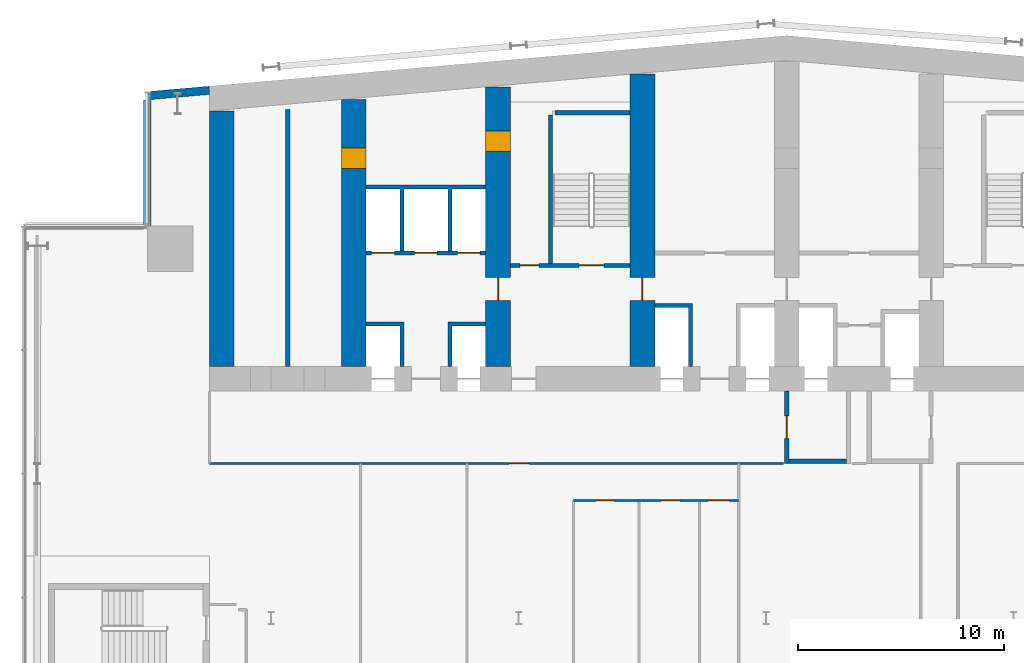
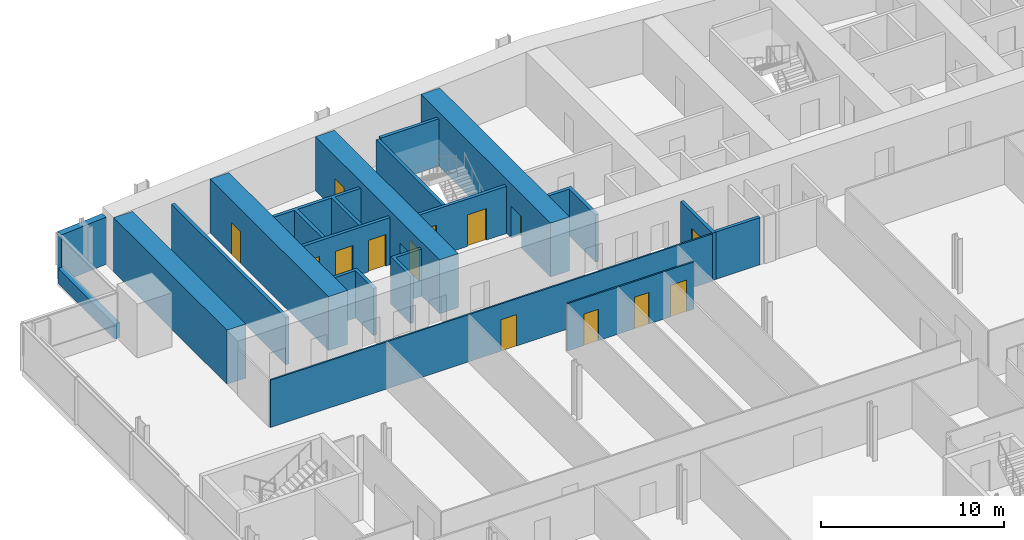
# One storey, part 15 of 24: 19 walls, 14 doors, 14 openings.
"""IFC4 building model written with IfcOpenShell, lengths in metres."""

from ifc_helpers import new_model, si_unit, direction, frame, frame_2d, origin, place, context, subcontext, project, spatial, polyline, rectangle, outline, extrude, material, layer, layer_set, type_object, element, fill, save


model = new_model("IFC4")

# Units and contexts
model_context = context("Model", 3, precision=1e-05, world=origin(), true_north=direction((0.0, 1.0)))
body_context = subcontext(model_context, "Body", "Model", "MODEL_VIEW")
ifc_project = project(units=[si_unit("LENGTHUNIT", "METRE"), si_unit("AREAUNIT", "SQUARE_METRE"), si_unit("VOLUMEUNIT", "CUBIC_METRE"), si_unit("PLANEANGLEUNIT", "RADIAN"), si_unit("MASSUNIT", "GRAM", prefix="KILO")], contexts=[model_context])

# Site, building, storey
site_placement = place(None, origin())
site = spatial("IfcSite", under=ifc_project, at=site_placement, CompositionType="ELEMENT")
building_placement = place(site_placement, origin())
building = spatial("IfcBuilding", under=site, at=building_placement, Name="Wharfspan Tower", CompositionType="ELEMENT")
storey_placement = place(building_placement, frame((0.0, 0.0, 88.300049)))
storey = spatial("IfcBuildingStorey", under=building, at=storey_placement, Name="L19", CompositionType="ELEMENT", Elevation=88.300049)

# Wall, opening, door
ifc_material_1 = material(Name="Gypsum board on steel studs", Category="steel")
ifc_layer_1 = layer(ifc_material_1, 0.100098)
ifc_layer_set_1 = layer_set([ifc_layer_1], Name="Gypsum board on steel studs")
wall_type_1 = type_object("IfcWallType", Name="Compartment wall 100 EI 60", PredefinedType="PARTITIONING", material=ifc_layer_set_1)
wall_1_placement = place(storey_placement, frame((9.0, 30.5, 0.0), z_axis=(0.0, 0.0, 1.0), x_axis=(1.0, 0.0, 0.0)))
wall_1 = element("IfcWall", 1, at=wall_1_placement, inside=storey, type_object=wall_type_1, Name="Partition L19.w009", PredefinedType="PARTITIONING", context=body_context, shape_type="SweptSolid", body=[
    extrude(rectangle(XDim=27.850098, YDim=0.100098, at=frame_2d((13.925049, 0.0))), origin(), (0.0, 0.0, 1.0), 3.149902),
])
opening_1_placement = place(wall_1_placement, frame((14.52002, 0.0, 0.0)))
opening_1 = element("IfcOpeningElement", 2, at=opening_1_placement, cuts=wall_1, Name="Opening A5-25", PredefinedType="OPENING", context=body_context, shape_type="SweptSolid", body=[
    extrude(rectangle(XDim=1.0, YDim=2.100098, at=frame_2d((0.5, 1.050049))), frame((0.0, 0.060059, 0.0), z_axis=(0.0, -1.0, 0.0), x_axis=(1.0, 0.0, 0.0)), (0.0, 0.0, 1.0), 0.120117),
])
ifc_material_2 = material(Name="Fire-rated timber door leaf in steel frame", Category="steel")
door_type_1 = type_object("IfcDoorType", Name="Door 1000 FD30S Left", OperationType="SINGLE_SWING_LEFT", PredefinedType="DOOR", material=ifc_material_2)
door_1_placement = place(opening_1_placement, origin())
door_1 = element("IfcDoor", 3, at=door_1_placement, inside=storey, type_object=door_type_1, Name="Door A5-25", OperationType="SINGLE_SWING_LEFT", OverallHeight=2.100098, OverallWidth=1.0, PredefinedType="DOOR", context=body_context, shape_type="SweptSolid", body=[
    extrude(rectangle(XDim=1.0, YDim=2.100098, at=frame_2d((0.5, 1.050049))), frame((0.0, 0.024902, 0.0), z_axis=(0.0, -1.0, 0.0), x_axis=(1.0, 0.0, 0.0)), (0.0, 0.0, 1.0), 0.050049),
])
fill(opening_1, door_1)

# Walls
ifc_material_3 = material(Name="Calcium silicate masonry", Category="masonry")
ifc_layer_2 = layer(ifc_material_3, 0.199951)
ifc_layer_set_2 = layer_set([ifc_layer_2], Name="Calcium silicate masonry")
wall_type_2 = type_object("IfcWallType", Name="Core room wall 200", PredefinedType="PARTITIONING", material=ifc_layer_set_2)
wall_2_placement = place(storey_placement, frame((12.800049, 35.199951, 0.0), z_axis=(0.0, 0.0, 1.0), x_axis=(0.0, 1.0, 0.0)))
element("IfcWall", 4, at=wall_2_placement, inside=storey, type_object=wall_type_2, Name="sw:L19:RM0", PredefinedType="PARTITIONING", context=body_context, shape_type="SweptSolid", body=[
    extrude(rectangle(XDim=12.467773, YDim=0.199951, at=frame_2d((6.233887, 0.0))), origin(), (0.0, 0.0, 1.0), 3.149902),
])
ifc_material_4 = material(Name="Concrete C70/85", Category="concrete")
ifc_layer_3 = layer(ifc_material_4, 1.199951)
ifc_layer_set_3 = layer_set([ifc_layer_3], Name="Concrete C70/85")
wall_type_3 = type_object("IfcWallType", Name="Core wall 1200 C70/85", PredefinedType="SHEAR", material=ifc_layer_set_3)
wall_3_placement = place(storey_placement, frame((9.600098, 35.199951, 0.0), z_axis=(0.0, 0.0, 1.0), x_axis=(0.0, 1.0, 0.0)))
element("IfcWall", 5, at=wall_3_placement, inside=storey, type_object=wall_type_3, Name="Core cross wall EW0 L19", PredefinedType="SHEAR", context=body_context, shape_type="SweptSolid", body=[
    extrude(rectangle(XDim=12.382812, YDim=1.199951, at=frame_2d((6.191406, 0.0))), origin(), (0.0, 0.0, 1.0), 3.599854),
])

# Wall, opening, door
wall_4_placement = place(storey_placement, frame((16.0, 35.199951, 0.0), z_axis=(0.0, 0.0, 1.0), x_axis=(0.0, 1.0, 0.0)))
wall_4 = element("IfcWall", 6, at=wall_4_placement, inside=storey, type_object=wall_type_3, Name="Core cross wall X1 L19", PredefinedType="SHEAR", context=body_context, shape_type="SweptSolid", body=[
    extrude(rectangle(XDim=12.942871, YDim=1.199951, at=frame_2d((6.471436, 0.0))), origin(), (0.0, 0.0, 1.0), 3.599854),
])
opening_2_placement = place(wall_4_placement, frame((9.600098, 0.0, 0.0)))
opening_2 = element("IfcOpeningElement", 7, at=opening_2_placement, cuts=wall_4, Name="Opening CR19.1", PredefinedType="OPENING", context=body_context, shape_type="SweptSolid", body=[
    extrude(rectangle(XDim=1.0, YDim=2.100098, at=frame_2d((0.5, 1.050049))), frame((0.0, 0.609863, 0.0), z_axis=(0.0, -1.0, 0.0), x_axis=(1.0, 0.0, 0.0)), (0.0, 0.0, 1.0), 1.219971),
])
ifc_material_5 = material(Name="Steel door leaf", Category="steel")
door_type_2 = type_object("IfcDoorType", Name="Core room door 1000x2100", OperationType="SINGLE_SWING_LEFT", PredefinedType="DOOR", material=ifc_material_5)
door_2_placement = place(opening_2_placement, origin())
door_2 = element("IfcDoor", 8, at=door_2_placement, inside=storey, type_object=door_type_2, Name="xr:L19:1", OperationType="SINGLE_SWING_RIGHT", OverallHeight=2.100098, OverallWidth=1.0, PredefinedType="DOOR", context=body_context, shape_type="SweptSolid", body=[
    extrude(rectangle(XDim=1.0, YDim=2.100098, at=frame_2d((0.5, 1.050049))), frame((0.0, 0.599609, 0.0), z_axis=(0.0, -1.0, 0.0), x_axis=(1.0, 0.0, 0.0)), (0.0, 0.0, 1.0), 1.199463),
])
fill(opening_2, door_2)

# Wall, openings, doors
wall_5_placement = place(storey_placement, frame((23.0, 35.199951, 0.0), z_axis=(0.0, 0.0, 1.0), x_axis=(0.0, 1.0, 0.0)))
wall_5 = element("IfcWall", 9, at=wall_5_placement, inside=storey, type_object=wall_type_3, Name="Core cross wall X2 L19", PredefinedType="SHEAR", context=body_context, shape_type="SweptSolid", body=[
    extrude(rectangle(XDim=13.555176, YDim=1.199951, at=frame_2d((6.777588, 0.0))), origin(), (0.0, 0.0, 1.0), 3.599854),
])
opening_3_placement = place(wall_5_placement, frame((10.413818, 0.0, 0.0)))
opening_3 = element("IfcOpeningElement", 10, at=opening_3_placement, cuts=wall_5, Name="Opening CD19.1X", PredefinedType="OPENING", context=body_context, shape_type="SweptSolid", body=[
    extrude(rectangle(XDim=1.0, YDim=2.100098, at=frame_2d((0.5, 1.050049))), frame((0.0, 0.609863, 0.0), z_axis=(0.0, -1.0, 0.0), x_axis=(1.0, 0.0, 0.0)), (0.0, 0.0, 1.0), 1.219971),
])
opening_4_placement = place(wall_5_placement, frame((3.199951, 0.0, 0.0)))
opening_4 = element("IfcOpeningElement", 11, at=opening_4_placement, cuts=wall_5, Name="Opening CC19.2", PredefinedType="OPENING", context=body_context, shape_type="SweptSolid", body=[
    extrude(rectangle(XDim=1.100098, YDim=2.100098, at=frame_2d((0.550049, 1.050049))), frame((0.0, 0.609863, 0.0), z_axis=(0.0, -1.0, 0.0), x_axis=(1.0, 0.0, 0.0)), (0.0, 0.0, 1.0), 1.219971),
])
door_type_3 = type_object("IfcDoorType", Name="Core corridor door 1100x2100", OperationType="SINGLE_SWING_LEFT", PredefinedType="DOOR", material=ifc_material_5)
door_3_placement = place(opening_4_placement, origin())
door_3 = element("IfcDoor", 12, at=door_3_placement, inside=storey, type_object=door_type_3, Name="xd:L19:2", OperationType="SINGLE_SWING_RIGHT", OverallHeight=2.100098, OverallWidth=1.100098, PredefinedType="DOOR", context=body_context, shape_type="SweptSolid", body=[
    extrude(rectangle(XDim=1.100098, YDim=2.100098, at=frame_2d((0.550049, 1.050049))), frame((0.0, 0.024902, 0.0), z_axis=(0.0, -1.0, 0.0), x_axis=(1.0, 0.0, 0.0)), (0.0, 0.0, 1.0), 0.050049),
])
fill(opening_4, door_3)
door_4_placement = place(opening_3_placement, origin())
door_4 = element("IfcDoor", 13, at=door_4_placement, inside=storey, type_object=door_type_2, Name="d:L19:1:sx", OperationType="SINGLE_SWING_LEFT", OverallHeight=2.100098, OverallWidth=1.0, PredefinedType="DOOR", context=body_context, shape_type="SweptSolid", body=[
    extrude(rectangle(XDim=1.0, YDim=2.100098, at=frame_2d((0.5, 1.050049))), frame((0.0, 0.599609, 0.0), z_axis=(0.0, -1.0, 0.0), x_axis=(1.0, 0.0, 0.0)), (0.0, 0.0, 1.0), 1.199463),
])
fill(opening_3, door_4)

# Wall, opening, door
wall_6_placement = place(storey_placement, frame((30.0, 35.199951, 0.0), z_axis=(0.0, 0.0, 1.0), x_axis=(0.0, 1.0, 0.0)))
wall_6 = element("IfcWall", 14, at=wall_6_placement, inside=storey, type_object=wall_type_3, Name="Core cross wall X3 L19", PredefinedType="SHEAR", context=body_context, shape_type="SweptSolid", body=[
    extrude(rectangle(XDim=14.167725, YDim=1.199951, at=frame_2d((7.083984, 0.0))), origin(), (0.0, 0.0, 1.0), 3.599854),
])
opening_5_placement = place(wall_6_placement, frame((3.199951, 0.0, 0.0)))
opening_5 = element("IfcOpeningElement", 15, at=opening_5_placement, cuts=wall_6, Name="Opening CC19.3", PredefinedType="OPENING", context=body_context, shape_type="SweptSolid", body=[
    extrude(rectangle(XDim=1.100098, YDim=2.100098, at=frame_2d((0.550049, 1.050049))), frame((0.0, 0.609863, 0.0), z_axis=(0.0, -1.0, 0.0), x_axis=(1.0, 0.0, 0.0)), (0.0, 0.0, 1.0), 1.219971),
])
door_5_placement = place(opening_5_placement, origin())
door_5 = element("IfcDoor", 16, at=door_5_placement, inside=storey, type_object=door_type_3, Name="xd:L19:3", OperationType="SINGLE_SWING_LEFT", OverallHeight=2.100098, OverallWidth=1.100098, PredefinedType="DOOR", context=body_context, shape_type="SweptSolid", body=[
    extrude(rectangle(XDim=1.100098, YDim=2.100098, at=frame_2d((0.550049, 1.050049))), frame((0.0, 0.024902, 0.0), z_axis=(0.0, -1.0, 0.0), x_axis=(1.0, 0.0, 0.0)), (0.0, 0.0, 1.0), 0.050049),
])
fill(opening_5, door_5)

# Wall, openings, doors
ifc_material_6 = material(Name="Concrete C30/37", Category="concrete")
ifc_layer_4 = layer(ifc_material_6, 0.199951)
ifc_layer_set_4 = layer_set([ifc_layer_4], Name="Concrete C30/37")
wall_type_4 = type_object("IfcWallType", Name="Lift shaft wall 200", PredefinedType="PARTITIONING", material=ifc_layer_set_4)
wall_7_placement = place(storey_placement, frame((16.600098, 40.699951, 0.0), z_axis=(0.0, 0.0, 1.0), x_axis=(1.0, 0.0, 0.0)))
wall_7 = element("IfcWall", 17, at=wall_7_placement, inside=storey, type_object=wall_type_4, Name="sw:L19:RF1", PredefinedType="PARTITIONING", context=body_context, shape_type="SweptSolid", body=[
    extrude(rectangle(XDim=5.799805, YDim=0.199951, at=frame_2d((2.899902, 0.0))), origin(), (0.0, 0.0, 1.0), 3.149902),
])
opening_6_placement = place(wall_7_placement, frame((0.266602, 0.0, 0.0)))
opening_6 = element("IfcOpeningElement", 18, at=opening_6_placement, cuts=wall_7, Name="Opening LD.LA3.L19", PredefinedType="OPENING", context=body_context, shape_type="SweptSolid", body=[
    extrude(rectangle(XDim=1.100098, YDim=2.100098, at=frame_2d((0.550049, 1.050049))), frame((0.0, 0.109863, 0.0), z_axis=(0.0, -1.0, 0.0), x_axis=(1.0, 0.0, 0.0)), (0.0, 0.0, 1.0), 0.219971),
])
opening_7_placement = place(wall_7_placement, frame((2.350098, 0.0, 0.0)))
opening_7 = element("IfcOpeningElement", 19, at=opening_7_placement, cuts=wall_7, Name="Opening LD.LA4.L19", PredefinedType="OPENING", context=body_context, shape_type="SweptSolid", body=[
    extrude(rectangle(XDim=1.100098, YDim=2.100098, at=frame_2d((0.550049, 1.050049))), frame((0.0, 0.109863, 0.0), z_axis=(0.0, -1.0, 0.0), x_axis=(1.0, 0.0, 0.0)), (0.0, 0.0, 1.0), 0.219971),
])
opening_8_placement = place(wall_7_placement, frame((4.43335, 0.0, 0.0)))
opening_8 = element("IfcOpeningElement", 20, at=opening_8_placement, cuts=wall_7, Name="Opening LD.LA5.L19", PredefinedType="OPENING", context=body_context, shape_type="SweptSolid", body=[
    extrude(rectangle(XDim=1.100098, YDim=2.100098, at=frame_2d((0.550049, 1.050049))), frame((0.0, 0.109863, 0.0), z_axis=(0.0, -1.0, 0.0), x_axis=(1.0, 0.0, 0.0)), (0.0, 0.0, 1.0), 0.219971),
])
ifc_material_7 = material(Name="Stainless steel", Category="steel")
door_type_4 = type_object("IfcDoorType", Name="Lift landing door 1100x2100", OperationType="DOUBLE_DOOR_SLIDING", PredefinedType="DOOR", material=ifc_material_7)
door_6_placement = place(opening_6_placement, origin())
door_6 = element("IfcDoor", 21, at=door_6_placement, inside=storey, type_object=door_type_4, Name="Landing door LA3 L19", OperationType="DOUBLE_DOOR_SLIDING", OverallHeight=2.100098, OverallWidth=1.100098, PredefinedType="DOOR", context=body_context, shape_type="SweptSolid", body=[
    extrude(rectangle(XDim=1.100098, YDim=2.100098, at=frame_2d((0.550049, 1.050049))), frame((0.0, 0.024902, 0.0), z_axis=(0.0, -1.0, 0.0), x_axis=(1.0, 0.0, 0.0)), (0.0, 0.0, 1.0), 0.050049),
])
fill(opening_6, door_6)
door_7_placement = place(opening_7_placement, origin())
door_7 = element("IfcDoor", 22, at=door_7_placement, inside=storey, type_object=door_type_4, Name="Landing door LA4 L19", OperationType="DOUBLE_DOOR_SLIDING", OverallHeight=2.100098, OverallWidth=1.100098, PredefinedType="DOOR", context=body_context, shape_type="SweptSolid", body=[
    extrude(rectangle(XDim=1.100098, YDim=2.100098, at=frame_2d((0.550049, 1.050049))), frame((0.0, 0.024902, 0.0), z_axis=(0.0, -1.0, 0.0), x_axis=(1.0, 0.0, 0.0)), (0.0, 0.0, 1.0), 0.050049),
])
fill(opening_7, door_7)
door_8_placement = place(opening_8_placement, origin())
door_8 = element("IfcDoor", 23, at=door_8_placement, inside=storey, type_object=door_type_4, Name="Landing door LA5 L19", OperationType="DOUBLE_DOOR_SLIDING", OverallHeight=2.100098, OverallWidth=1.100098, PredefinedType="DOOR", context=body_context, shape_type="SweptSolid", body=[
    extrude(rectangle(XDim=1.100098, YDim=2.100098, at=frame_2d((0.550049, 1.050049))), frame((0.0, 0.024902, 0.0), z_axis=(0.0, -1.0, 0.0), x_axis=(1.0, 0.0, 0.0)), (0.0, 0.0, 1.0), 0.050049),
])
fill(opening_8, door_8)

# Walls
wall_8_placement = place(storey_placement, frame((0.0, 0.0, -0.000244)))
element("IfcWall", 24, at=wall_8_placement, inside=storey, type_object=wall_type_4, Name="sw:L19:FM1.0", PredefinedType="PARTITIONING", context=body_context, shape_type="SweptSolid", body=[
    extrude(outline(polyline([(18.233398, 37.149902), (16.600098, 37.149902), (16.600098, 37.350098), (18.233398, 37.350098), (18.43335, 37.350098), (18.43335, 35.199951), (18.233398, 35.199951), (18.233398, 37.149902)])), origin(), (0.0, 0.0, 1.0), 3.150146),
])
wall_9_placement = place(storey_placement, frame((0.0, 0.0, -0.000244)))
element("IfcWall", 25, at=wall_9_placement, inside=storey, type_object=wall_type_4, Name="sw:L19:FM1.1", PredefinedType="PARTITIONING", context=body_context, shape_type="SweptSolid", body=[
    extrude(outline(polyline([(20.56665, 37.350098), (20.766602, 37.350098), (22.399902, 37.350098), (22.399902, 37.149902), (20.766602, 37.149902), (20.766602, 35.199951), (20.56665, 35.199951), (20.56665, 37.350098)])), origin(), (0.0, 0.0, 1.0), 3.150146),
])
wall_10_placement = place(storey_placement, frame((0.0, 0.0, -0.000244)))
element("IfcWall", 26, at=wall_10_placement, inside=storey, type_object=wall_type_4, Name="sw:L19:RM1.0", PredefinedType="PARTITIONING", context=body_context, shape_type="SweptSolid", body=[
    extrude(outline(polyline([(18.43335, 40.800049), (18.233398, 40.800049), (18.233398, 43.800049), (16.600098, 43.800049), (16.600098, 44.0), (22.399902, 44.0), (22.399902, 43.800049), (20.766602, 43.800049), (20.766602, 40.800049), (20.56665, 40.800049), (20.56665, 43.800049), (18.43335, 43.800049), (18.43335, 40.800049)])), origin(), (0.0, 0.0, 1.0), 3.150146),
])
wall_11_placement = place(storey_placement, frame((0.0, 0.0, -0.000244)))
element("IfcWall", 27, at=wall_11_placement, inside=storey, type_object=wall_type_4, Name="sw:L19:FM3.0", PredefinedType="PARTITIONING", context=body_context, shape_type="SweptSolid", body=[
    extrude(outline(polyline([(32.233398, 38.050049), (30.600098, 38.050049), (30.600098, 38.25), (32.233398, 38.25), (32.43335, 38.25), (32.43335, 35.199951), (32.233398, 35.199951), (32.233398, 38.050049)])), origin(), (0.0, 0.0, 1.0), 3.150146),
])

# Wall, opening, door
ifc_layer_5 = layer(ifc_material_6, 0.199951)
ifc_layer_set_5 = layer_set([ifc_layer_5], Name="Concrete C30/37")
wall_type_5 = type_object("IfcWallType", Name="Lobby wall 200", PredefinedType="PARTITIONING", material=ifc_layer_set_5)
wall_12_placement = place(storey_placement, frame((37.0, 30.5, 0.0), z_axis=(0.0, 0.0, 1.0), x_axis=(0.0, 1.0, 0.0)))
wall_12 = element("IfcWall", 28, at=wall_12_placement, inside=storey, type_object=wall_type_5, Name="sw:L19:FLFF1W", PredefinedType="PARTITIONING", context=body_context, shape_type="SweptSolid", body=[
    extrude(rectangle(XDim=3.5, YDim=0.199951, at=frame_2d((1.75, 0.0))), origin(), (0.0, 0.0, 1.0), 3.149902),
])
opening_9_placement = place(wall_12_placement, frame((1.199951, 0.0, 0.0)))
opening_9 = element("IfcOpeningElement", 29, at=opening_9_placement, cuts=wall_12, Name="Opening FL.FF1.L19", PredefinedType="OPENING", context=body_context, shape_type="SweptSolid", body=[
    extrude(rectangle(XDim=1.100098, YDim=2.100098, at=frame_2d((0.550049, 1.050049))), frame((0.0, 0.109863, 0.0), z_axis=(0.0, -1.0, 0.0), x_axis=(1.0, 0.0, 0.0)), (0.0, 0.0, 1.0), 0.219971),
])
door_type_5 = type_object("IfcDoorType", Name="Firefighting lobby door 1100x2100", OperationType="SINGLE_SWING_LEFT", PredefinedType="DOOR", material=ifc_material_5)
door_9_placement = place(opening_9_placement, origin())
door_9 = element("IfcDoor", 30, at=door_9_placement, inside=storey, type_object=door_type_5, Name="fd:L19:FF1", OperationType="SINGLE_SWING_LEFT", OverallHeight=2.100098, OverallWidth=1.100098, PredefinedType="DOOR", context=body_context, shape_type="SweptSolid", body=[
    extrude(rectangle(XDim=1.100098, YDim=2.100098, at=frame_2d((0.550049, 1.050049))), frame((0.0, 0.024902, 0.0), z_axis=(0.0, -1.0, 0.0), x_axis=(1.0, 0.0, 0.0)), (0.0, 0.0, 1.0), 0.050049),
])
fill(opening_9, door_9)

# Wall
wall_13_placement = place(storey_placement, frame((37.100098, 30.600098, 0.0), z_axis=(0.0, 0.0, 1.0), x_axis=(1.0, 0.0, 0.0)))
element("IfcWall", 31, at=wall_13_placement, inside=storey, type_object=wall_type_5, Name="sw:L19:FLFF1F", PredefinedType="PARTITIONING", context=body_context, shape_type="SweptSolid", body=[
    extrude(rectangle(XDim=2.799805, YDim=0.199951, at=frame_2d((1.399902, 0.0))), origin(), (0.0, 0.0, 1.0), 3.149902),
])

# Wall, openings, doors
ifc_layer_6 = layer(ifc_material_1, 0.100098)
ifc_layer_set_6 = layer_set([ifc_layer_6], Name="Gypsum board on steel studs")
wall_type_6 = type_object("IfcWallType", Name="Partition 100", PredefinedType="PARTITIONING", material=ifc_layer_set_6)
wall_14_placement = place(storey_placement, frame((26.665039, 28.699951, 0.0), z_axis=(0.0, 0.0, 1.0), x_axis=(1.0, 0.0, 0.0)))
wall_14 = element("IfcWall", 32, at=wall_14_placement, inside=storey, type_object=wall_type_6, Name="Partition L19.w020", PredefinedType="PARTITIONING", context=body_context, shape_type="SweptSolid", body=[
    extrude(rectangle(XDim=8.0, YDim=0.100098, at=frame_2d((4.0, 0.0))), origin(), (0.0, 0.0, 1.0), 3.149902),
])
opening_10_placement = place(wall_14_placement, frame((1.070068, 0.0, 0.0)))
opening_10 = element("IfcOpeningElement", 33, at=opening_10_placement, cuts=wall_14, Name="Opening A5-22", PredefinedType="OPENING", context=body_context, shape_type="SweptSolid", body=[
    extrude(rectangle(XDim=0.899902, YDim=2.100098, at=frame_2d((0.449951, 1.050049))), frame((0.0, 0.060059, 0.0), z_axis=(0.0, -1.0, 0.0), x_axis=(1.0, 0.0, 0.0)), (0.0, 0.0, 1.0), 0.120117),
])
opening_11_placement = place(wall_14_placement, frame((4.245117, 0.0, 0.0)))
opening_11 = element("IfcOpeningElement", 34, at=opening_11_placement, cuts=wall_14, Name="Opening A5-23", PredefinedType="OPENING", context=body_context, shape_type="SweptSolid", body=[
    extrude(rectangle(XDim=0.899902, YDim=2.100098, at=frame_2d((0.449951, 1.050049))), frame((0.0, 0.060059, 0.0), z_axis=(0.0, -1.0, 0.0), x_axis=(1.0, 0.0, 0.0)), (0.0, 0.0, 1.0), 0.120117),
])
opening_12_placement = place(wall_14_placement, frame((6.524902, 0.0, 0.0)))
opening_12 = element("IfcOpeningElement", 35, at=opening_12_placement, cuts=wall_14, Name="Opening A5-24", PredefinedType="OPENING", context=body_context, shape_type="SweptSolid", body=[
    extrude(rectangle(XDim=1.0, YDim=2.100098, at=frame_2d((0.5, 1.050049))), frame((0.0, 0.060059, 0.0), z_axis=(0.0, -1.0, 0.0), x_axis=(1.0, 0.0, 0.0)), (0.0, 0.0, 1.0), 0.120117),
])
ifc_material_8 = material(Name="Timber door leaf in steel frame", Category="steel")
door_type_6 = type_object("IfcDoorType", Name="Door 1000 NOT RATED Right", OperationType="SINGLE_SWING_RIGHT", PredefinedType="DOOR", material=ifc_material_8)
door_10_placement = place(opening_12_placement, origin())
door_10 = element("IfcDoor", 36, at=door_10_placement, inside=storey, type_object=door_type_6, Name="Door A5-24", OperationType="SINGLE_SWING_RIGHT", OverallHeight=2.100098, OverallWidth=1.0, PredefinedType="DOOR", context=body_context, shape_type="SweptSolid", body=[
    extrude(rectangle(XDim=1.0, YDim=2.100098, at=frame_2d((0.5, 1.050049))), frame((0.0, 0.024902, 0.0), z_axis=(0.0, -1.0, 0.0), x_axis=(1.0, 0.0, 0.0)), (0.0, 0.0, 1.0), 0.050049),
])
fill(opening_12, door_10)
door_type_7 = type_object("IfcDoorType", Name="Door 900 NOT RATED Left", OperationType="SINGLE_SWING_LEFT", PredefinedType="DOOR", material=ifc_material_8)
door_11_placement = place(opening_10_placement, origin())
door_11 = element("IfcDoor", 37, at=door_11_placement, inside=storey, type_object=door_type_7, Name="Door A5-22", OperationType="SINGLE_SWING_LEFT", OverallHeight=2.100098, OverallWidth=0.899902, PredefinedType="DOOR", context=body_context, shape_type="SweptSolid", body=[
    extrude(rectangle(XDim=0.899902, YDim=2.100098, at=frame_2d((0.449951, 1.050049))), frame((0.0, 0.024902, 0.0), z_axis=(0.0, -1.0, 0.0), x_axis=(1.0, 0.0, 0.0)), (0.0, 0.0, 1.0), 0.050049),
])
fill(opening_10, door_11)
door_type_8 = type_object("IfcDoorType", Name="Door 900 NOT RATED Right", OperationType="SINGLE_SWING_RIGHT", PredefinedType="DOOR", material=ifc_material_8)
door_12_placement = place(opening_11_placement, origin())
door_12 = element("IfcDoor", 38, at=door_12_placement, inside=storey, type_object=door_type_8, Name="Door A5-23", OperationType="SINGLE_SWING_RIGHT", OverallHeight=2.100098, OverallWidth=0.899902, PredefinedType="DOOR", context=body_context, shape_type="SweptSolid", body=[
    extrude(rectangle(XDim=0.899902, YDim=2.100098, at=frame_2d((0.449951, 1.050049))), frame((0.0, 0.024902, 0.0), z_axis=(0.0, -1.0, 0.0), x_axis=(1.0, 0.0, 0.0)), (0.0, 0.0, 1.0), 0.050049),
])
fill(opening_11, door_12)

# Wall
ifc_material_9 = material(Name="Concrete C40/50", Category="concrete")
ifc_layer_7 = layer(ifc_material_9, 0.350098)
ifc_layer_set_7 = layer_set([ifc_layer_7], Name="Concrete C40/50")
wall_type_7 = type_object("IfcWallType", Name="SPANDREL EXPOSED CONCRETE 350", PredefinedType="SOLIDWALL", material=ifc_layer_set_7)
wall_15_placement = place(storey_placement, frame((5.995117, 48.126465, 0.0), z_axis=(0.0, 0.0, 1.0), x_axis=(0.0, -1.0, 0.0)))
element("IfcWall", 39, at=wall_15_placement, inside=storey, type_object=wall_type_7, Name="Spandrel upstand L19 NRW-V", PredefinedType="SOLIDWALL", context=body_context, shape_type="SweptSolid", body=[
    extrude(rectangle(XDim=6.126465, YDim=0.350098, at=frame_2d((3.063232, 0.0))), origin(), (0.0, 0.0, 1.0), 1.0),
])

# Wall, openings, doors
ifc_layer_8 = layer(ifc_material_9, 0.199951)
ifc_layer_set_8 = layer_set([ifc_layer_8], Name="Concrete C40/50")
wall_type_8 = type_object("IfcWallType", Name="Stair shaft wall 200", PredefinedType="SHEAR", material=ifc_layer_set_8)
wall_16_placement = place(storey_placement, frame((23.600098, 40.100098, 0.0), z_axis=(0.0, 0.0, 1.0), x_axis=(1.0, 0.0, 0.0)))
wall_16 = element("IfcWall", 40, at=wall_16_placement, inside=storey, type_object=wall_type_8, Name="ST1 stair enclosure wall L19", PredefinedType="SHEAR", context=body_context, shape_type="SweptSolid", body=[
    extrude(rectangle(XDim=5.799805, YDim=0.199951, at=frame_2d((2.899902, 0.0))), origin(), (0.0, 0.0, 1.0), 3.149902),
])
opening_13_placement = place(wall_16_placement, frame((3.324951, 0.0, 0.0)))
opening_13 = element("IfcOpeningElement", 41, at=opening_13_placement, cuts=wall_16, Name="Opening SD2.L19", PredefinedType="OPENING", context=body_context, shape_type="SweptSolid", body=[
    extrude(rectangle(XDim=1.199951, YDim=2.100098, at=frame_2d((0.600098, 1.050049))), frame((0.0, 0.109863, 0.0), z_axis=(0.0, -1.0, 0.0), x_axis=(1.0, 0.0, 0.0)), (0.0, 0.0, 1.0), 0.219971),
])
opening_14_placement = place(wall_16_placement, frame((0.475098, 0.0, 0.0)))
opening_14 = element("IfcOpeningElement", 42, at=opening_14_placement, cuts=wall_16, Name="Opening CD19.2R", PredefinedType="OPENING", context=body_context, shape_type="SweptSolid", body=[
    extrude(rectangle(XDim=0.899902, YDim=2.100098, at=frame_2d((0.449951, 1.050049))), frame((0.0, 0.109863, 0.0), z_axis=(0.0, -1.0, 0.0), x_axis=(1.0, 0.0, 0.0)), (0.0, 0.0, 1.0), 0.219971),
])
door_13_placement = place(opening_14_placement, origin())
door_13 = element("IfcDoor", 43, at=door_13_placement, inside=storey, type_object=door_type_2, Name="rk:L19:2", OperationType="SINGLE_SWING_LEFT", OverallHeight=2.100098, OverallWidth=0.899902, PredefinedType="DOOR", context=body_context, shape_type="SweptSolid", body=[
    extrude(rectangle(XDim=0.899902, YDim=2.100098, at=frame_2d((0.449951, 1.050049))), frame((0.0, 0.024902, 0.0), z_axis=(0.0, -1.0, 0.0), x_axis=(1.0, 0.0, 0.0)), (0.0, 0.0, 1.0), 0.050049),
])
fill(opening_14, door_13)
door_type_9 = type_object("IfcDoorType", Name="Stair door 1200x2100", OperationType="SINGLE_SWING_LEFT", PredefinedType="DOOR", material=ifc_material_5)
door_14_placement = place(opening_13_placement, origin())
door_14 = element("IfcDoor", 44, at=door_14_placement, inside=storey, type_object=door_type_9, Name="sd:L19:2", OperationType="SINGLE_SWING_RIGHT", OverallHeight=2.100098, OverallWidth=1.199951, PredefinedType="DOOR", context=body_context, shape_type="SweptSolid", body=[
    extrude(rectangle(XDim=1.199951, YDim=2.100098, at=frame_2d((0.600098, 1.050049))), frame((0.0, 0.024902, 0.0), z_axis=(0.0, -1.0, 0.0), x_axis=(1.0, 0.0, 0.0)), (0.0, 0.0, 1.0), 0.050049),
])
fill(opening_13, door_14)

# Walls
wall_17_placement = place(storey_placement, frame((25.550049, 40.199951, 0.0), z_axis=(0.0, 0.0, 1.0), x_axis=(0.0, 1.0, 0.0)))
element("IfcWall", 45, at=wall_17_placement, inside=storey, type_object=wall_type_8, Name="ST1 stair enclosure wall L19", PredefinedType="SHEAR", context=body_context, shape_type="SweptSolid", body=[
    extrude(rectangle(XDim=7.199951, YDim=0.199951, at=frame_2d((3.600098, 0.0))), origin(), (0.0, 0.0, 1.0), 3.149902),
])
wall_18_placement = place(storey_placement, frame((25.75, 47.5, 0.0), z_axis=(0.0, 0.0, 1.0), x_axis=(1.0, 0.0, 0.0)))
element("IfcWall", 46, at=wall_18_placement, inside=storey, type_object=wall_type_8, Name="ST1 stair enclosure wall L19", PredefinedType="SHEAR", context=body_context, shape_type="SweptSolid", body=[
    extrude(rectangle(XDim=3.649902, YDim=0.199951, at=frame_2d((1.824951, 0.0))), origin(), (0.0, 0.0, 1.0), 3.149902),
])
ifc_layer_9 = layer(ifc_material_9, 0.399902)
ifc_layer_set_9 = layer_set([ifc_layer_9], Name="Concrete C40/50")
wall_type_9 = type_object("IfcWallType", Name="WALL EXPOSED CONCRETE 400", PredefinedType="SOLIDWALL", material=ifc_layer_set_9)
wall_19_placement = place(storey_placement, frame((9.0, 48.58667, 0.0), z_axis=(0.0, 0.0, 1.0), x_axis=(-0.996194, -0.087168, 0.0)))
element("IfcWall", 47, at=wall_19_placement, inside=storey, type_object=wall_type_9, Name="Rear wall N1", PredefinedType="SOLIDWALL", context=body_context, shape_type="SweptSolid", body=[
    extrude(rectangle(XDim=2.994141, YDim=0.399902, at=frame_2d((1.49707, 0.0))), origin(), (0.0, 0.0, 1.0), 3.149902),
])

save(model, "model.ifc")
